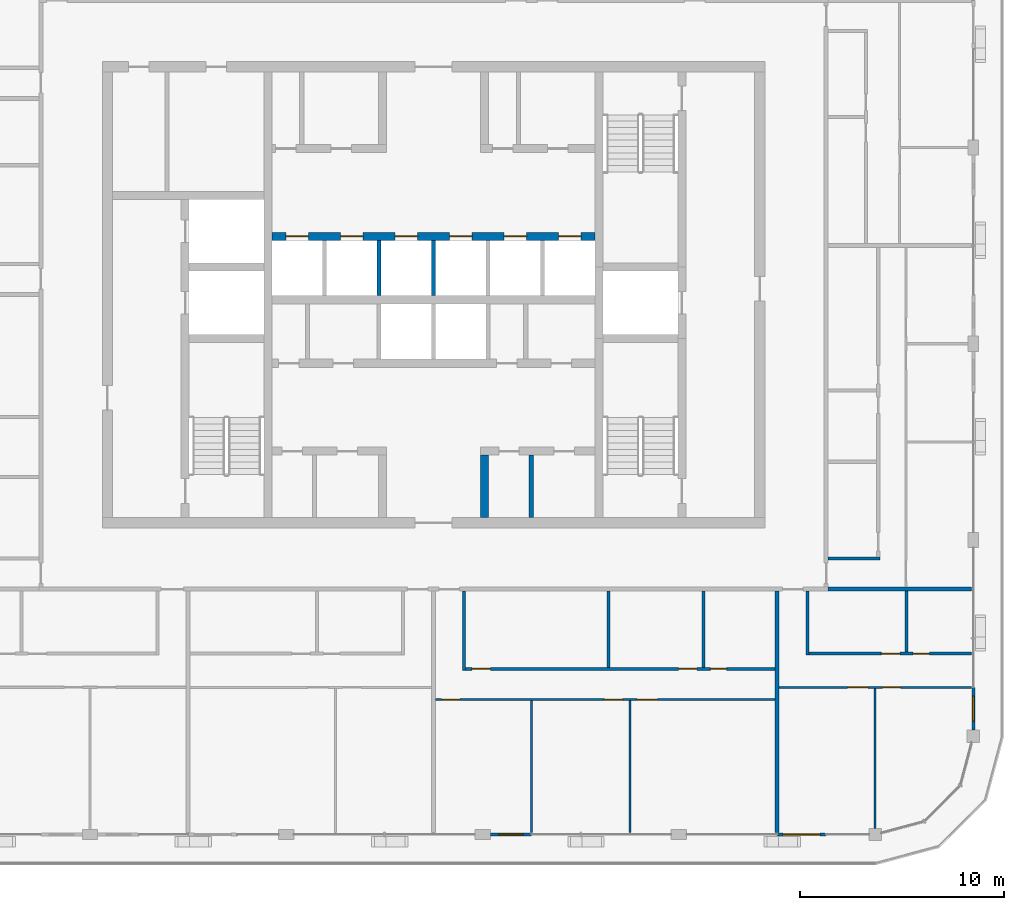
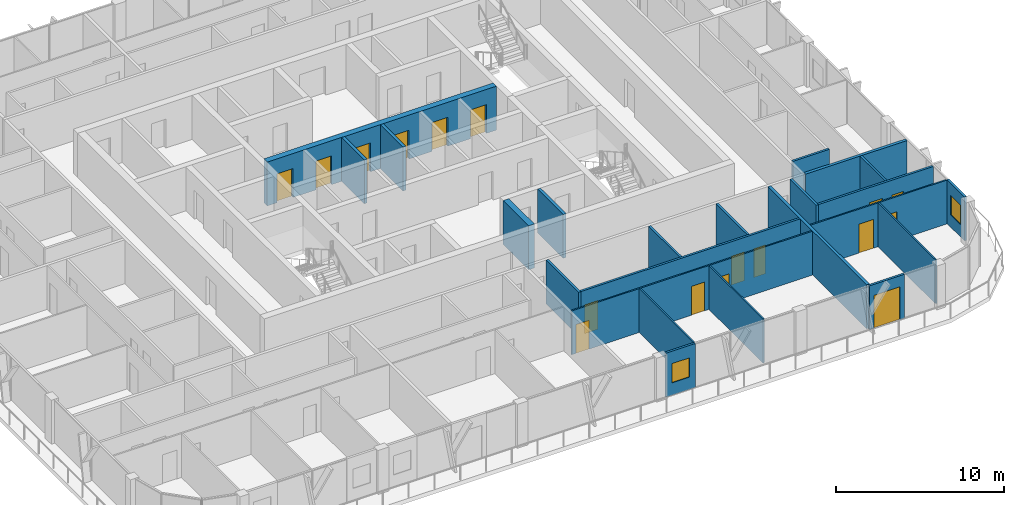
# One storey, part 11 of 21: 23 walls, 17 doors, 2 windows, 19 openings.
"""IFC4 building model written with IfcOpenShell, lengths in metres."""

from ifc_helpers import new_model, si_unit, direction, frame, frame_2d, origin, place, context, subcontext, project, spatial, rectangle, extrude, material, layer, layer_set, type_object, element, fill, save


model = new_model("IFC4")

# Units and contexts
model_context = context("Model", 3, precision=1e-05, world=origin(), true_north=direction((0.0, 1.0)))
body_context = subcontext(model_context, "Body", "Model", "MODEL_VIEW")
ifc_project = project(units=[si_unit("LENGTHUNIT", "METRE"), si_unit("AREAUNIT", "SQUARE_METRE"), si_unit("VOLUMEUNIT", "CUBIC_METRE"), si_unit("PLANEANGLEUNIT", "RADIAN"), si_unit("MASSUNIT", "GRAM", prefix="KILO")], contexts=[model_context])

# Site, building, storey
site_placement = place(None, origin())
site = spatial("IfcSite", under=ifc_project, at=site_placement, CompositionType="ELEMENT")
building_placement = place(site_placement, origin())
building = spatial("IfcBuilding", under=site, at=building_placement, Name="Madar Terraces", CompositionType="ELEMENT")
storey_placement = place(building_placement, frame((0.0, 0.0, 268.60009765625)))
storey = spatial("IfcBuildingStorey", under=building, at=storey_placement, Name="L70", CompositionType="ELEMENT", Elevation=268.60009765625)

# Wall, openings, doors
ifc_material_1 = material(Name="Concrete C50/60", Category="concrete")
ifc_layer_1 = layer(ifc_material_1, 0.39990234375)
ifc_layer_set_1 = layer_set([ifc_layer_1], Name="Concrete C50/60 (CIW6 RC wall 400)")
wall_type_1 = type_object("IfcWallType", Name="CIW6 RC wall 400", PredefinedType="SHEAR", material=ifc_layer_set_1)
wall_1_placement = place(storey_placement, frame((23.300048828125, 29.25, 0.0), z_axis=(0.0, 0.0, 1.0), x_axis=(1.0, 0.0, 0.0)))
wall_1 = element("IfcWall", 1, at=wall_1_placement, inside=storey, type_object=wall_type_1, Name="CORE SHAFT WALL", PredefinedType="SHEAR", context=body_context, shape_type="SweptSolid", body=[
    extrude(rectangle(XDim=15.800048828125, YDim=0.39990234375, at=frame_2d((7.89990234375, 0.0))), origin(), (0.0, 0.0, 1.0), 3.199951171875),
])
opening_1_placement = place(wall_1_placement, frame((0.683349609375, 0.0, 0.0)))
opening_1 = element("IfcOpeningElement", 2, at=opening_1_placement, cuts=wall_1, Name="Opening LD", PredefinedType="OPENING", context=body_context, shape_type="SweptSolid", body=[
    extrude(rectangle(XDim=1.10009765625, YDim=2.10009765625, at=frame_2d((0.550048828125, 1.050048828125))), frame((0.0, 0.2099609375, 0.0), z_axis=(0.0, -1.0, 0.0), x_axis=(1.0, 0.0, 0.0)), (0.0, 0.0, 1.0), 0.419921875),
])
opening_2_placement = place(wall_1_placement, frame((3.35009765625, 0.0, 0.0)))
opening_2 = element("IfcOpeningElement", 3, at=opening_2_placement, cuts=wall_1, Name="Opening LD", PredefinedType="OPENING", context=body_context, shape_type="SweptSolid", body=[
    extrude(rectangle(XDim=1.10009765625, YDim=2.10009765625, at=frame_2d((0.550048828125, 1.050048828125))), frame((0.0, 0.2099609375, 0.0), z_axis=(0.0, -1.0, 0.0), x_axis=(1.0, 0.0, 0.0)), (0.0, 0.0, 1.0), 0.419921875),
])
opening_3_placement = place(wall_1_placement, frame((6.0166015625, 0.0, 0.0)))
opening_3 = element("IfcOpeningElement", 4, at=opening_3_placement, cuts=wall_1, Name="Opening LD", PredefinedType="OPENING", context=body_context, shape_type="SweptSolid", body=[
    extrude(rectangle(XDim=1.10009765625, YDim=2.10009765625, at=frame_2d((0.550048828125, 1.050048828125))), frame((0.0, 0.2099609375, 0.0), z_axis=(0.0, -1.0, 0.0), x_axis=(1.0, 0.0, 0.0)), (0.0, 0.0, 1.0), 0.419921875),
])
opening_4_placement = place(wall_1_placement, frame((8.683349609375, 0.0, 0.0)))
opening_4 = element("IfcOpeningElement", 5, at=opening_4_placement, cuts=wall_1, Name="Opening LD", PredefinedType="OPENING", context=body_context, shape_type="SweptSolid", body=[
    extrude(rectangle(XDim=1.10009765625, YDim=2.10009765625, at=frame_2d((0.550048828125, 1.050048828125))), frame((0.0, 0.2099609375, 0.0), z_axis=(0.0, -1.0, 0.0), x_axis=(1.0, 0.0, 0.0)), (0.0, 0.0, 1.0), 0.419921875),
])
opening_5_placement = place(wall_1_placement, frame((11.35009765625, 0.0, 0.0)))
opening_5 = element("IfcOpeningElement", 6, at=opening_5_placement, cuts=wall_1, Name="Opening LD", PredefinedType="OPENING", context=body_context, shape_type="SweptSolid", body=[
    extrude(rectangle(XDim=1.10009765625, YDim=2.10009765625, at=frame_2d((0.550048828125, 1.050048828125))), frame((0.0, 0.2099609375, 0.0), z_axis=(0.0, -1.0, 0.0), x_axis=(1.0, 0.0, 0.0)), (0.0, 0.0, 1.0), 0.419921875),
])
opening_6_placement = place(wall_1_placement, frame((14.0166015625, 0.0, 0.0)))
opening_6 = element("IfcOpeningElement", 7, at=opening_6_placement, cuts=wall_1, Name="Opening LD", PredefinedType="OPENING", context=body_context, shape_type="SweptSolid", body=[
    extrude(rectangle(XDim=1.10009765625, YDim=2.10009765625, at=frame_2d((0.550048828125, 1.050048828125))), frame((0.0, 0.2099609375, 0.0), z_axis=(0.0, -1.0, 0.0), x_axis=(1.0, 0.0, 0.0)), (0.0, 0.0, 1.0), 0.419921875),
])
ifc_material_2 = material(Name="Stainless steel panel", Category="steel")
door_type_1 = type_object("IfcDoorType", Name="Lift landing door 1100 x 2100", OperationType="DOUBLE_DOOR_SLIDING", PredefinedType="DOOR", material=ifc_material_2)
door_1_placement = place(opening_1_placement, origin())
door_1 = element("IfcDoor", 8, at=door_1_placement, inside=storey, type_object=door_type_1, Name="LIFT LANDING DOOR", OperationType="DOUBLE_DOOR_SLIDING", OverallHeight=2.10009765625, OverallWidth=1.10009765625, PredefinedType="DOOR", context=body_context, shape_type="SweptSolid", body=[
    extrude(rectangle(XDim=1.10009765625, YDim=2.10009765625, at=frame_2d((0.550048828125, 1.050048828125))), frame((0.0, 0.02490234375, 0.0), z_axis=(0.0, -1.0, 0.0), x_axis=(1.0, 0.0, 0.0)), (0.0, 0.0, 1.0), 0.050048828125),
])
fill(opening_1, door_1)
door_2_placement = place(opening_2_placement, origin())
door_2 = element("IfcDoor", 9, at=door_2_placement, inside=storey, type_object=door_type_1, Name="LIFT LANDING DOOR", OperationType="DOUBLE_DOOR_SLIDING", OverallHeight=2.10009765625, OverallWidth=1.10009765625, PredefinedType="DOOR", context=body_context, shape_type="SweptSolid", body=[
    extrude(rectangle(XDim=1.10009765625, YDim=2.10009765625, at=frame_2d((0.550048828125, 1.050048828125))), frame((0.0, 0.02490234375, 0.0), z_axis=(0.0, -1.0, 0.0), x_axis=(1.0, 0.0, 0.0)), (0.0, 0.0, 1.0), 0.050048828125),
])
fill(opening_2, door_2)
door_3_placement = place(opening_3_placement, origin())
door_3 = element("IfcDoor", 10, at=door_3_placement, inside=storey, type_object=door_type_1, Name="LIFT LANDING DOOR", OperationType="DOUBLE_DOOR_SLIDING", OverallHeight=2.10009765625, OverallWidth=1.10009765625, PredefinedType="DOOR", context=body_context, shape_type="SweptSolid", body=[
    extrude(rectangle(XDim=1.10009765625, YDim=2.10009765625, at=frame_2d((0.550048828125, 1.050048828125))), frame((0.0, 0.02490234375, 0.0), z_axis=(0.0, -1.0, 0.0), x_axis=(1.0, 0.0, 0.0)), (0.0, 0.0, 1.0), 0.050048828125),
])
fill(opening_3, door_3)
door_4_placement = place(opening_4_placement, origin())
door_4 = element("IfcDoor", 11, at=door_4_placement, inside=storey, type_object=door_type_1, Name="LIFT LANDING DOOR", OperationType="DOUBLE_DOOR_SLIDING", OverallHeight=2.10009765625, OverallWidth=1.10009765625, PredefinedType="DOOR", context=body_context, shape_type="SweptSolid", body=[
    extrude(rectangle(XDim=1.10009765625, YDim=2.10009765625, at=frame_2d((0.550048828125, 1.050048828125))), frame((0.0, 0.02490234375, 0.0), z_axis=(0.0, -1.0, 0.0), x_axis=(1.0, 0.0, 0.0)), (0.0, 0.0, 1.0), 0.050048828125),
])
fill(opening_4, door_4)
door_5_placement = place(opening_5_placement, origin())
door_5 = element("IfcDoor", 12, at=door_5_placement, inside=storey, type_object=door_type_1, Name="LIFT LANDING DOOR", OperationType="DOUBLE_DOOR_SLIDING", OverallHeight=2.10009765625, OverallWidth=1.10009765625, PredefinedType="DOOR", context=body_context, shape_type="SweptSolid", body=[
    extrude(rectangle(XDim=1.10009765625, YDim=2.10009765625, at=frame_2d((0.550048828125, 1.050048828125))), frame((0.0, 0.02490234375, 0.0), z_axis=(0.0, -1.0, 0.0), x_axis=(1.0, 0.0, 0.0)), (0.0, 0.0, 1.0), 0.050048828125),
])
fill(opening_5, door_5)
door_6_placement = place(opening_6_placement, origin())
door_6 = element("IfcDoor", 13, at=door_6_placement, inside=storey, type_object=door_type_1, Name="LIFT LANDING DOOR", OperationType="DOUBLE_DOOR_SLIDING", OverallHeight=2.10009765625, OverallWidth=1.10009765625, PredefinedType="DOOR", context=body_context, shape_type="SweptSolid", body=[
    extrude(rectangle(XDim=1.10009765625, YDim=2.10009765625, at=frame_2d((0.550048828125, 1.050048828125))), frame((0.0, 0.02490234375, 0.0), z_axis=(0.0, -1.0, 0.0), x_axis=(1.0, 0.0, 0.0)), (0.0, 0.0, 1.0), 0.050048828125),
])
fill(opening_6, door_6)

# Walls
wall_2_placement = place(storey_placement, frame((33.699951171875, 15.5, 0.0), z_axis=(0.0, 0.0, 1.0), x_axis=(0.0, 1.0, 0.0)))
element("IfcWall", 14, at=wall_2_placement, inside=storey, type_object=wall_type_1, Name="CORE SHAFT WALL", PredefinedType="SHEAR", context=body_context, shape_type="SweptSolid", body=[
    extrude(rectangle(XDim=3.050048828125, YDim=0.39990234375, at=frame_2d((1.52490234375, 0.0))), origin(), (0.0, 0.0, 1.0), 3.199951171875),
])
ifc_material_3 = material(Name="Masonry blockwork", Category="masonry")
ifc_layer_2 = layer(ifc_material_3, 0.199951171875)
ifc_layer_set_2 = layer_set([ifc_layer_2], Name="Core partition 200 blockwork")
wall_type_2 = type_object("IfcWallType", Name="Core partition 200 blockwork", PredefinedType="PARTITIONING", material=ifc_layer_set_2)
wall_3_placement = place(storey_placement, frame((35.97998046875, 15.5, 0.0), z_axis=(0.0, 0.0, 1.0), x_axis=(0.0, 1.0, 0.0)))
element("IfcWall", 15, at=wall_3_placement, inside=storey, type_object=wall_type_2, Name="SERVICE ROOM PARTITION", PredefinedType="PARTITIONING", context=body_context, shape_type="SweptSolid", body=[
    extrude(rectangle(XDim=3.050048828125, YDim=0.199951171875, at=frame_2d((1.52490234375, 0.0))), origin(), (0.0, 0.0, 1.0), 3.199951171875),
])
ifc_material_4 = material(Name="Concrete C40/50", Category="concrete")
ifc_layer_3 = layer(ifc_material_4, 0.199951171875)
ifc_layer_set_3 = layer_set([ifc_layer_3], Name="Core shaft dividing wall 200 C40/50")
wall_type_3 = type_object("IfcWallType", Name="Core shaft dividing wall 200 C40/50", PredefinedType="SOLIDWALL", material=ifc_layer_set_3)
for number, where, z_axis, x_axis, name in (
    (16, (28.533447265625, 26.35009765625, 0.0), (0.0, 0.0, 1.0), (0.0, 1.0, 0.0), "SHAFT DIVIDING WALL"),
    (17, (31.199951171875, 26.35009765625, 0.0), (0.0, 0.0, 1.0), (0.0, 1.0, 0.0), "SHAFT DIVIDING WALL"),
):
    element("IfcWall", number, at=place(storey_placement, frame(where, z_axis=z_axis, x_axis=x_axis)), inside=storey, type_object=wall_type_3, Name=name, PredefinedType="SOLIDWALL", context=body_context, shape_type="SweptSolid", body=[
        extrude(rectangle(XDim=2.699951171875, YDim=0.199951171875, at=frame_2d((1.35009765625, 0.0))), origin(), (0.0, 0.0, 1.0), 3.199951171875),
    ])

# Wall, opening, window
ifc_material_5 = material(Name="Aluminium composite panel, black, over insulated backing", Category="aluminium")
ifc_layer_4 = layer(ifc_material_5, 0.14990234375)
ifc_layer_set_4 = layer_set([ifc_layer_4], Name="Facade bay panel 150")
wall_type_4 = type_object("IfcWallType", Name="Facade bay panel 150", PredefinedType="SOLIDWALL", material=ifc_layer_set_4)
wall_4_placement = place(storey_placement, frame((33.97509765625, 0.0, 0.0), z_axis=(0.0, 0.0, 1.0), x_axis=(1.0, 0.0, 0.0)))
wall_4 = element("IfcWall", 18, at=wall_4_placement, inside=storey, type_object=wall_type_4, Name="Facade bay panel", PredefinedType="SOLIDWALL", context=body_context, shape_type="SweptSolid", body=[
    extrude(rectangle(XDim=2.02490234375, YDim=0.14990234375, at=frame_2d((1.012451171875, 0.0))), origin(), (0.0, 0.0, 1.0), 3.199951171875),
])
opening_7_placement = place(wall_4_placement, frame((0.41259765625, 0.0, 0.89990234375)))
opening_7 = element("IfcOpeningElement", 19, at=opening_7_placement, cuts=wall_4, Name="Opening W1", PredefinedType="OPENING", context=body_context, shape_type="SweptSolid", body=[
    extrude(rectangle(XDim=1.199951171875, YDim=1.39990234375, at=frame_2d((0.60009765625, 0.699951171875))), frame((0.0, 0.0849609375, 0.0), z_axis=(0.0, -1.0, 0.0), x_axis=(1.0, 0.0, 0.0)), (0.0, 0.0, 1.0), 0.169921875),
])
ifc_material_6 = material(Name="Glass, clear, with black aluminium frame", Category="aluminium")
window_type = type_object("IfcWindowType", Name="Vent window 1200 x 1400", PartitioningType="SINGLE_PANEL", PredefinedType="WINDOW", material=ifc_material_6)
window_1_placement = place(opening_7_placement, origin())
window_1 = element("IfcWindow", 20, at=window_1_placement, inside=storey, type_object=window_type, Name="Operable vent window", OverallHeight=1.39990234375, OverallWidth=1.199951171875, PartitioningType="SINGLE_PANEL", PredefinedType="WINDOW", context=body_context, shape_type="SweptSolid", body=[
    extrude(rectangle(XDim=1.199951171875, YDim=1.39990234375, at=frame_2d((0.60009765625, 0.699951171875))), frame((0.0, 0.030029296875, 0.0), z_axis=(0.0, -1.0, 0.0), x_axis=(1.0, 0.0, 0.0)), (0.0, 0.0, 1.0), 0.06005859375),
])
fill(opening_7, window_1)

# Wall, opening, door
wall_5_placement = place(storey_placement, frame((48.0, 0.0, 0.0), z_axis=(0.0, 0.0, 1.0), x_axis=(1.0, 0.0, 0.0)))
wall_5 = element("IfcWall", 21, at=wall_5_placement, inside=storey, type_object=wall_type_4, Name="Facade bay panel", PredefinedType="SOLIDWALL", context=body_context, shape_type="SweptSolid", body=[
    extrude(rectangle(XDim=2.39990234375, YDim=0.14990234375, at=frame_2d((1.199951171875, 0.0))), origin(), (0.0, 0.0, 1.0), 3.199951171875),
])
opening_8_placement = place(wall_5_placement, frame((0.300048828125, 0.0, 0.0)))
opening_8 = element("IfcOpeningElement", 22, at=opening_8_placement, cuts=wall_5, Name="Opening ED1", PredefinedType="OPENING", context=body_context, shape_type="SweptSolid", body=[
    extrude(rectangle(XDim=1.800048828125, YDim=2.39990234375, at=frame_2d((0.89990234375, 1.199951171875))), frame((0.0, 0.0849609375, 0.0), z_axis=(0.0, -1.0, 0.0), x_axis=(1.0, 0.0, 0.0)), (0.0, 0.0, 1.0), 0.169921875),
])
ifc_material_7 = material(Name="Glass, clear, with black aluminium frame", Category="aluminium")
door_type_2 = type_object("IfcDoorType", Name="Balcony and terrace sliding door 1800 x 2400", OperationType="SLIDING_TO_LEFT", PredefinedType="DOOR", material=ifc_material_7)
door_7_placement = place(opening_8_placement, origin())
door_7 = element("IfcDoor", 23, at=door_7_placement, inside=storey, type_object=door_type_2, Name="Balcony door", OperationType="SLIDING_TO_RIGHT", OverallHeight=2.39990234375, OverallWidth=1.800048828125, PredefinedType="DOOR", context=body_context, shape_type="SweptSolid", body=[
    extrude(rectangle(XDim=1.800048828125, YDim=2.39990234375, at=frame_2d((0.89990234375, 1.199951171875))), frame((0.0, 0.02490234375, 0.0), z_axis=(0.0, -1.0, 0.0), x_axis=(1.0, 0.0, 0.0)), (0.0, 0.0, 1.0), 0.050048828125),
])
fill(opening_8, door_7)

# Wall, opening, window
wall_6_placement = place(storey_placement, frame((57.60009765625, 5.10009765625, 0.0), z_axis=(0.0, 0.0, 1.0), x_axis=(0.0, 1.0, 0.0)))
wall_6 = element("IfcWall", 24, at=wall_6_placement, inside=storey, type_object=wall_type_4, Name="Facade bay panel", PredefinedType="SOLIDWALL", context=body_context, shape_type="SweptSolid", body=[
    extrude(rectangle(XDim=2.099853515625, YDim=0.14990234375, at=frame_2d((1.0498046875, 0.0))), origin(), (0.0, 0.0, 1.0), 3.199951171875),
])
opening_9_placement = place(wall_6_placement, frame((0.449951171875, 0.0, 0.89990234375)))
opening_9 = element("IfcOpeningElement", 25, at=opening_9_placement, cuts=wall_6, Name="Opening W1", PredefinedType="OPENING", context=body_context, shape_type="SweptSolid", body=[
    extrude(rectangle(XDim=1.199951171875, YDim=1.39990234375, at=frame_2d((0.60009765625, 0.699951171875))), frame((0.0, 0.0849609375, 0.0), z_axis=(0.0, -1.0, 0.0), x_axis=(1.0, 0.0, 0.0)), (0.0, 0.0, 1.0), 0.169921875),
])
window_2_placement = place(opening_9_placement, origin())
window_2 = element("IfcWindow", 26, at=window_2_placement, inside=storey, type_object=window_type, Name="Operable vent window", OverallHeight=1.39990234375, OverallWidth=1.199951171875, PartitioningType="SINGLE_PANEL", PredefinedType="WINDOW", context=body_context, shape_type="SweptSolid", body=[
    extrude(rectangle(XDim=1.199951171875, YDim=1.39990234375, at=frame_2d((0.60009765625, 0.699951171875))), frame((0.0, 0.030029296875, 0.0), z_axis=(0.0, -1.0, 0.0), x_axis=(1.0, 0.0, 0.0)), (0.0, 0.0, 1.0), 0.06005859375),
])
fill(opening_9, window_2)

# Walls
ifc_material_8 = material(Name="Gypsum board on steel studs", Category="steel")
ifc_layer_5 = layer(ifc_material_8, 0.10009765625)
ifc_layer_set_5 = layer_set([ifc_layer_5], Name="Flat partition 100")
wall_type_5 = type_object("IfcWallType", Name="Flat partition 100", PredefinedType="PARTITIONING", material=ifc_layer_set_5)
for number, where, z_axis, x_axis, name in (
    (27, (36.0, 6.550048828125, 0.0), (0.0, 0.0, 1.0), (0.0, -1.0, 0.0), "Flat partition 100"),
    (28, (40.800048828125, 6.550048828125, 0.0), (0.0, 0.0, 1.0), (0.0, -1.0, 0.0), "Flat partition 100"),
):
    element("IfcWall", number, at=place(storey_placement, frame(where, z_axis=z_axis, x_axis=x_axis)), inside=storey, type_object=wall_type_5, Name=name, PredefinedType="PARTITIONING", context=body_context, shape_type="SweptSolid", body=[
        extrude(rectangle(XDim=6.449951171875, YDim=0.10009765625, at=frame_2d((3.22509765625, 0.0))), origin(), (0.0, 0.0, 1.0), 3.199951171875),
    ])

# Wall, openings, doors
wall_7_placement = place(storey_placement, frame((47.89990234375, 6.60009765625, 0.0), z_axis=(0.0, 0.0, 1.0), x_axis=(-1.0, 0.0, 0.0)))
wall_7 = element("IfcWall", 29, at=wall_7_placement, inside=storey, type_object=wall_type_5, Name="Flat partition 100", PredefinedType="PARTITIONING", context=body_context, shape_type="SweptSolid", body=[
    extrude(rectangle(XDim=16.599853515625, YDim=0.10009765625, at=frame_2d((8.2998046875, 0.0))), origin(), (0.0, 0.0, 1.0), 3.199951171875),
])
opening_10_placement = place(wall_7_placement, frame((15.39990234375, 0.0, 0.0)))
opening_10 = element("IfcOpeningElement", 30, at=opening_10_placement, cuts=wall_7, Name="Opening D2", PredefinedType="OPENING", context=body_context, shape_type="SweptSolid", body=[
    extrude(rectangle(XDim=0.89990234375, YDim=2.10009765625, at=frame_2d((0.449951171875, 1.050048828125))), frame((0.0, 0.06005859375, 0.0), z_axis=(0.0, -1.0, 0.0), x_axis=(1.0, 0.0, 0.0)), (0.0, 0.0, 1.0), 0.1201171875),
])
opening_11_placement = place(wall_7_placement, frame((7.449951171875, 0.0, 0.0)))
opening_11 = element("IfcOpeningElement", 31, at=opening_11_placement, cuts=wall_7, Name="Opening D2", PredefinedType="OPENING", context=body_context, shape_type="SweptSolid", body=[
    extrude(rectangle(XDim=0.89990234375, YDim=2.10009765625, at=frame_2d((0.449951171875, 1.050048828125))), frame((0.0, 0.06005859375, 0.0), z_axis=(0.0, -1.0, 0.0), x_axis=(1.0, 0.0, 0.0)), (0.0, 0.0, 1.0), 0.1201171875),
])
opening_12_placement = place(wall_7_placement, frame((5.75, 0.0, 0.0)))
opening_12 = element("IfcOpeningElement", 32, at=opening_12_placement, cuts=wall_7, Name="Opening D3", PredefinedType="OPENING", context=body_context, shape_type="SweptSolid", body=[
    extrude(rectangle(XDim=1.0, YDim=2.10009765625, at=frame_2d((0.5, 1.050048828125))), frame((0.0, 0.06005859375, 0.0), z_axis=(0.0, -1.0, 0.0), x_axis=(1.0, 0.0, 0.0)), (0.0, 0.0, 1.0), 0.1201171875),
])
ifc_material_9 = material(Name="Timber door leaf", Category="wood")
door_type_3 = type_object("IfcDoorType", Name="Flat living room door 1000", OperationType="NOTDEFINED", PredefinedType="DOOR", material=ifc_material_9)
door_8_placement = place(opening_12_placement, origin())
door_8 = element("IfcDoor", 33, at=door_8_placement, inside=storey, type_object=door_type_3, Name="Flat living room door 1000", OperationType="SINGLE_SWING_RIGHT", OverallHeight=2.10009765625, OverallWidth=1.0, PredefinedType="DOOR", context=body_context, shape_type="SweptSolid", body=[
    extrude(rectangle(XDim=1.0, YDim=2.10009765625, at=frame_2d((0.5, 1.050048828125))), frame((0.0, 0.02490234375, 0.0), z_axis=(0.0, -1.0, 0.0), x_axis=(1.0, 0.0, 0.0)), (0.0, 0.0, 1.0), 0.050048828125),
])
fill(opening_12, door_8)
ifc_material_10 = material(Name="Timber door leaf", Category="wood")
door_type_4 = type_object("IfcDoorType", Name="Flat room door 900", OperationType="NOTDEFINED", PredefinedType="DOOR", material=ifc_material_10)
door_9_placement = place(opening_10_placement, origin())
door_9 = element("IfcDoor", 34, at=door_9_placement, inside=storey, type_object=door_type_4, Name="Flat room door 900", OperationType="SINGLE_SWING_RIGHT", OverallHeight=2.10009765625, OverallWidth=0.89990234375, PredefinedType="DOOR", context=body_context, shape_type="SweptSolid", body=[
    extrude(rectangle(XDim=0.89990234375, YDim=2.10009765625, at=frame_2d((0.449951171875, 1.050048828125))), frame((0.0, 0.02490234375, 0.0), z_axis=(0.0, -1.0, 0.0), x_axis=(1.0, 0.0, 0.0)), (0.0, 0.0, 1.0), 0.050048828125),
])
fill(opening_10, door_9)
door_10_placement = place(opening_11_placement, origin())
door_10 = element("IfcDoor", 35, at=door_10_placement, inside=storey, type_object=door_type_4, Name="Flat room door 900", OperationType="SINGLE_SWING_LEFT", OverallHeight=2.10009765625, OverallWidth=0.89990234375, PredefinedType="DOOR", context=body_context, shape_type="SweptSolid", body=[
    extrude(rectangle(XDim=0.89990234375, YDim=2.10009765625, at=frame_2d((0.449951171875, 1.050048828125))), frame((0.0, 0.02490234375, 0.0), z_axis=(0.0, -1.0, 0.0), x_axis=(1.0, 0.0, 0.0)), (0.0, 0.0, 1.0), 0.050048828125),
])
fill(opening_11, door_10)

# Wall
wall_8_placement = place(storey_placement, frame((52.800048828125, 7.14990234375, 0.0), z_axis=(0.0, 0.0, 1.0), x_axis=(0.0, -1.0, 0.0)))
element("IfcWall", 36, at=wall_8_placement, inside=storey, type_object=wall_type_5, Name="Flat partition 100", PredefinedType="PARTITIONING", context=body_context, shape_type="SweptSolid", body=[
    extrude(rectangle(XDim=6.849853515625, YDim=0.10009765625, at=frame_2d((3.4248046875, 0.0))), origin(), (0.0, 0.0, 1.0), 3.199951171875),
])

# Wall, openings, doors
wall_9_placement = place(storey_placement, frame((57.5, 7.199951171875, 0.0), z_axis=(0.0, 0.0, 1.0), x_axis=(-1.0, 0.0, 0.0)))
wall_9 = element("IfcWall", 37, at=wall_9_placement, inside=storey, type_object=wall_type_5, Name="Flat partition 100", PredefinedType="PARTITIONING", context=body_context, shape_type="SweptSolid", body=[
    extrude(rectangle(XDim=9.39990234375, YDim=0.10009765625, at=frame_2d((4.699951171875, 0.0))), origin(), (0.0, 0.0, 1.0), 3.199951171875),
])
opening_13_placement = place(wall_9_placement, frame((5.050048828125, 0.0, 0.0)))
opening_13 = element("IfcOpeningElement", 38, at=opening_13_placement, cuts=wall_9, Name="Opening D3", PredefinedType="OPENING", context=body_context, shape_type="SweptSolid", body=[
    extrude(rectangle(XDim=1.0, YDim=2.10009765625, at=frame_2d((0.5, 1.050048828125))), frame((0.0, 0.06005859375, 0.0), z_axis=(0.0, -1.0, 0.0), x_axis=(1.0, 0.0, 0.0)), (0.0, 0.0, 1.0), 0.1201171875),
])
opening_14_placement = place(wall_9_placement, frame((3.449951171875, 0.0, 0.0)))
opening_14 = element("IfcOpeningElement", 39, at=opening_14_placement, cuts=wall_9, Name="Opening D2", PredefinedType="OPENING", context=body_context, shape_type="SweptSolid", body=[
    extrude(rectangle(XDim=0.89990234375, YDim=2.10009765625, at=frame_2d((0.449951171875, 1.050048828125))), frame((0.0, 0.06005859375, 0.0), z_axis=(0.0, -1.0, 0.0), x_axis=(1.0, 0.0, 0.0)), (0.0, 0.0, 1.0), 0.1201171875),
])
door_11_placement = place(opening_13_placement, origin())
door_11 = element("IfcDoor", 40, at=door_11_placement, inside=storey, type_object=door_type_3, Name="Flat living room door 1000", OperationType="SINGLE_SWING_LEFT", OverallHeight=2.10009765625, OverallWidth=1.0, PredefinedType="DOOR", context=body_context, shape_type="SweptSolid", body=[
    extrude(rectangle(XDim=1.0, YDim=2.10009765625, at=frame_2d((0.5, 1.050048828125))), frame((0.0, 0.02490234375, 0.0), z_axis=(0.0, -1.0, 0.0), x_axis=(1.0, 0.0, 0.0)), (0.0, 0.0, 1.0), 0.050048828125),
])
fill(opening_13, door_11)
door_12_placement = place(opening_14_placement, origin())
door_12 = element("IfcDoor", 41, at=door_12_placement, inside=storey, type_object=door_type_4, Name="Flat room door 900", OperationType="SINGLE_SWING_RIGHT", OverallHeight=2.10009765625, OverallWidth=0.89990234375, PredefinedType="DOOR", context=body_context, shape_type="SweptSolid", body=[
    extrude(rectangle(XDim=0.89990234375, YDim=2.10009765625, at=frame_2d((0.449951171875, 1.050048828125))), frame((0.0, 0.02490234375, 0.0), z_axis=(0.0, -1.0, 0.0), x_axis=(1.0, 0.0, 0.0)), (0.0, 0.0, 1.0), 0.050048828125),
])
fill(opening_14, door_12)

# Walls
ifc_material_11 = material(Name="Lightweight blockwork", Category="masonry")
ifc_layer_6 = layer(ifc_material_11, 0.199951171875)
ifc_layer_set_6 = layer_set([ifc_layer_6], Name="Flat party and entrance wall 200")
wall_type_6 = type_object("IfcWallType", Name="Flat party and entrance wall 200", PredefinedType="PARTITIONING", material=ifc_layer_set_6)
wall_10_placement = place(storey_placement, frame((48.0, 11.89990234375, 0.0), z_axis=(0.0, 0.0, 1.0), x_axis=(0.0, -1.0, 0.0)))
element("IfcWall", 42, at=wall_10_placement, inside=storey, type_object=wall_type_6, Name="Flat party and entrance wall 200", PredefinedType="PARTITIONING", context=body_context, shape_type="SweptSolid", body=[
    extrude(rectangle(XDim=11.7998046875, YDim=0.199951171875, at=frame_2d((5.89990234375, 0.0))), origin(), (0.0, 0.0, 1.0), 3.199951171875),
])
wall_11_placement = place(storey_placement, frame((50.5, 12.0, 0.0), z_axis=(0.0, 0.0, 1.0), x_axis=(1.0, 0.0, 0.0)))
element("IfcWall", 43, at=wall_11_placement, inside=storey, type_object=wall_type_6, Name="Flat party and entrance wall 200", PredefinedType="PARTITIONING", context=body_context, shape_type="SweptSolid", body=[
    extrude(rectangle(XDim=7.0, YDim=0.199951171875, at=frame_2d((3.5, 0.0))), origin(), (0.0, 0.0, 1.0), 3.199951171875),
])
ifc_material_12 = material(Name="Lightweight blockwork", Category="masonry")
ifc_layer_7 = layer(ifc_material_12, 0.14990234375)
ifc_layer_set_7 = layer_set([ifc_layer_7], Name="Flat wet-room partition 150")
wall_type_7 = type_object("IfcWallType", Name="Flat wet-room partition 150", PredefinedType="PARTITIONING", material=ifc_layer_set_7)
for number, where, z_axis, x_axis, name in (
    (44, (39.755859375, 11.89990234375, 0.0), (0.0, 0.0, 1.0), (0.0, -1.0, 0.0), "Flat wet-room partition 150"),
    (45, (44.40966796875, 11.89990234375, 0.0), (0.0, 0.0, 1.0), (0.0, -1.0, 0.0), "Flat wet-room partition 150"),
):
    element("IfcWall", number, at=place(storey_placement, frame(where, z_axis=z_axis, x_axis=x_axis)), inside=storey, type_object=wall_type_7, Name=name, PredefinedType="PARTITIONING", context=body_context, shape_type="SweptSolid", body=[
        extrude(rectangle(XDim=3.724853515625, YDim=0.14990234375, at=frame_2d((1.8623046875, 0.0))), origin(), (0.0, 0.0, 1.0), 3.199951171875),
    ])
wall_12_placement = place(storey_placement, frame((32.699951171875, 11.89990234375, 0.0), z_axis=(0.0, 0.0, 1.0), x_axis=(0.0, -1.0, 0.0)))
element("IfcWall", 46, at=wall_12_placement, inside=storey, type_object=wall_type_7, Name="Flat wet-room partition 150", PredefinedType="PARTITIONING", context=body_context, shape_type="SweptSolid", body=[
    extrude(rectangle(XDim=3.875, YDim=0.14990234375, at=frame_2d((1.9375, 0.0))), origin(), (0.0, 0.0, 1.0), 3.199951171875),
])

# Wall, openings, doors
wall_13_placement = place(storey_placement, frame((32.77490234375, 8.10009765625, 0.0), z_axis=(0.0, 0.0, 1.0), x_axis=(1.0, 0.0, 0.0)))
wall_13 = element("IfcWall", 47, at=wall_13_placement, inside=storey, type_object=wall_type_7, Name="Flat wet-room partition 150", PredefinedType="PARTITIONING", context=body_context, shape_type="SweptSolid", body=[
    extrude(rectangle(XDim=15.125, YDim=0.14990234375, at=frame_2d((7.5625, 0.0))), origin(), (0.0, 0.0, 1.0), 3.199951171875),
])
opening_15_placement = place(wall_13_placement, frame((0.300048828125, 0.0, 0.0)))
opening_15 = element("IfcOpeningElement", 48, at=opening_15_placement, cuts=wall_13, Name="Opening D2", PredefinedType="OPENING", context=body_context, shape_type="SweptSolid", body=[
    extrude(rectangle(XDim=0.89990234375, YDim=2.10009765625, at=frame_2d((0.449951171875, 1.050048828125))), frame((0.0, 0.0849609375, 0.0), z_axis=(0.0, -1.0, 0.0), x_axis=(1.0, 0.0, 0.0)), (0.0, 0.0, 1.0), 0.169921875),
])
opening_16_placement = place(wall_13_placement, frame((10.40966796875, 0.0, 0.0)))
opening_16 = element("IfcOpeningElement", 49, at=opening_16_placement, cuts=wall_13, Name="Opening D5", PredefinedType="OPENING", context=body_context, shape_type="SweptSolid", body=[
    extrude(rectangle(XDim=0.89990234375, YDim=2.10009765625, at=frame_2d((0.449951171875, 1.050048828125))), frame((0.0, 0.0849609375, 0.0), z_axis=(0.0, -1.0, 0.0), x_axis=(1.0, 0.0, 0.0)), (0.0, 0.0, 1.0), 0.169921875),
])
opening_17_placement = place(wall_13_placement, frame((11.959716796875, 0.0, 0.0)))
opening_17 = element("IfcOpeningElement", 50, at=opening_17_placement, cuts=wall_13, Name="Opening D4", PredefinedType="OPENING", context=body_context, shape_type="SweptSolid", body=[
    extrude(rectangle(XDim=0.800048828125, YDim=2.10009765625, at=frame_2d((0.39990234375, 1.050048828125))), frame((0.0, 0.0849609375, 0.0), z_axis=(0.0, -1.0, 0.0), x_axis=(1.0, 0.0, 0.0)), (0.0, 0.0, 1.0), 0.169921875),
])
ifc_material_13 = material(Name="Timber door leaf", Category="wood")
door_type_5 = type_object("IfcDoorType", Name="Flat accessible bathroom door 900", OperationType="NOTDEFINED", PredefinedType="DOOR", material=ifc_material_13)
door_13_placement = place(opening_16_placement, origin())
door_13 = element("IfcDoor", 51, at=door_13_placement, inside=storey, type_object=door_type_5, Name="Flat accessible bathroom door 900", OperationType="SINGLE_SWING_RIGHT", OverallHeight=2.10009765625, OverallWidth=0.89990234375, PredefinedType="DOOR", context=body_context, shape_type="SweptSolid", body=[
    extrude(rectangle(XDim=0.89990234375, YDim=2.10009765625, at=frame_2d((0.449951171875, 1.050048828125))), frame((0.0, 0.02490234375, 0.0), z_axis=(0.0, -1.0, 0.0), x_axis=(1.0, 0.0, 0.0)), (0.0, 0.0, 1.0), 0.050048828125),
])
fill(opening_16, door_13)
ifc_material_14 = material(Name="Timber door leaf", Category="wood")
door_type_6 = type_object("IfcDoorType", Name="Flat bathroom door 800", OperationType="NOTDEFINED", PredefinedType="DOOR", material=ifc_material_14)
door_14_placement = place(opening_17_placement, origin())
door_14 = element("IfcDoor", 52, at=door_14_placement, inside=storey, type_object=door_type_6, Name="Flat bathroom door 800", OperationType="SINGLE_SWING_LEFT", OverallHeight=2.10009765625, OverallWidth=0.800048828125, PredefinedType="DOOR", context=body_context, shape_type="SweptSolid", body=[
    extrude(rectangle(XDim=0.800048828125, YDim=2.10009765625, at=frame_2d((0.39990234375, 1.050048828125))), frame((0.0, 0.02490234375, 0.0), z_axis=(0.0, -1.0, 0.0), x_axis=(1.0, 0.0, 0.0)), (0.0, 0.0, 1.0), 0.050048828125),
])
fill(opening_17, door_14)
door_15_placement = place(opening_15_placement, origin())
door_15 = element("IfcDoor", 53, at=door_15_placement, inside=storey, type_object=door_type_4, Name="Flat room door 900", OperationType="SINGLE_SWING_LEFT", OverallHeight=2.10009765625, OverallWidth=0.89990234375, PredefinedType="DOOR", context=body_context, shape_type="SweptSolid", body=[
    extrude(rectangle(XDim=0.89990234375, YDim=2.10009765625, at=frame_2d((0.449951171875, 1.050048828125))), frame((0.0, 0.02490234375, 0.0), z_axis=(0.0, -1.0, 0.0), x_axis=(1.0, 0.0, 0.0)), (0.0, 0.0, 1.0), 0.050048828125),
])
fill(opening_15, door_15)

# Walls
wall_14_placement = place(storey_placement, frame((54.330078125, 11.89990234375, 0.0), z_axis=(0.0, 0.0, 1.0), x_axis=(0.0, -1.0, 0.0)))
element("IfcWall", 54, at=wall_14_placement, inside=storey, type_object=wall_type_7, Name="Flat wet-room partition 150", PredefinedType="PARTITIONING", context=body_context, shape_type="SweptSolid", body=[
    extrude(rectangle(XDim=2.974853515625, YDim=0.14990234375, at=frame_2d((1.4873046875, 0.0))), origin(), (0.0, 0.0, 1.0), 3.199951171875),
])
wall_15_placement = place(storey_placement, frame((49.5, 11.89990234375, 0.0), z_axis=(0.0, 0.0, 1.0), x_axis=(0.0, -1.0, 0.0)))
element("IfcWall", 55, at=wall_15_placement, inside=storey, type_object=wall_type_7, Name="Flat wet-room partition 150", PredefinedType="PARTITIONING", context=body_context, shape_type="SweptSolid", body=[
    extrude(rectangle(XDim=3.125, YDim=0.14990234375, at=frame_2d((1.5625, 0.0))), origin(), (0.0, 0.0, 1.0), 3.199951171875),
])

# Wall, openings, doors
wall_16_placement = place(storey_placement, frame((49.574951171875, 8.85009765625, 0.0), z_axis=(0.0, 0.0, 1.0), x_axis=(1.0, 0.0, 0.0)))
wall_16 = element("IfcWall", 56, at=wall_16_placement, inside=storey, type_object=wall_type_7, Name="Flat wet-room partition 150", PredefinedType="PARTITIONING", context=body_context, shape_type="SweptSolid", body=[
    extrude(rectangle(XDim=7.925048828125, YDim=0.14990234375, at=frame_2d((3.96240234375, 0.0))), origin(), (0.0, 0.0, 1.0), 3.199951171875),
])
opening_18_placement = place(wall_16_placement, frame((3.530029296875, 0.0, 0.0)))
opening_18 = element("IfcOpeningElement", 57, at=opening_18_placement, cuts=wall_16, Name="Opening D2", PredefinedType="OPENING", context=body_context, shape_type="SweptSolid", body=[
    extrude(rectangle(XDim=0.89990234375, YDim=2.10009765625, at=frame_2d((0.449951171875, 1.050048828125))), frame((0.0, 0.0849609375, 0.0), z_axis=(0.0, -1.0, 0.0), x_axis=(1.0, 0.0, 0.0)), (0.0, 0.0, 1.0), 0.169921875),
])
opening_19_placement = place(wall_16_placement, frame((5.080078125, 0.0, 0.0)))
opening_19 = element("IfcOpeningElement", 58, at=opening_19_placement, cuts=wall_16, Name="Opening D4", PredefinedType="OPENING", context=body_context, shape_type="SweptSolid", body=[
    extrude(rectangle(XDim=0.800048828125, YDim=2.10009765625, at=frame_2d((0.39990234375, 1.050048828125))), frame((0.0, 0.0849609375, 0.0), z_axis=(0.0, -1.0, 0.0), x_axis=(1.0, 0.0, 0.0)), (0.0, 0.0, 1.0), 0.169921875),
])
door_16_placement = place(opening_19_placement, origin())
door_16 = element("IfcDoor", 59, at=door_16_placement, inside=storey, type_object=door_type_6, Name="Flat bathroom door 800", OperationType="SINGLE_SWING_LEFT", OverallHeight=2.10009765625, OverallWidth=0.800048828125, PredefinedType="DOOR", context=body_context, shape_type="SweptSolid", body=[
    extrude(rectangle(XDim=0.800048828125, YDim=2.10009765625, at=frame_2d((0.39990234375, 1.050048828125))), frame((0.0, 0.02490234375, 0.0), z_axis=(0.0, -1.0, 0.0), x_axis=(1.0, 0.0, 0.0)), (0.0, 0.0, 1.0), 0.050048828125),
])
fill(opening_19, door_16)
door_17_placement = place(opening_18_placement, origin())
door_17 = element("IfcDoor", 60, at=door_17_placement, inside=storey, type_object=door_type_4, Name="Flat room door 900", OperationType="SINGLE_SWING_RIGHT", OverallHeight=2.10009765625, OverallWidth=0.89990234375, PredefinedType="DOOR", context=body_context, shape_type="SweptSolid", body=[
    extrude(rectangle(XDim=0.89990234375, YDim=2.10009765625, at=frame_2d((0.449951171875, 1.050048828125))), frame((0.0, 0.02490234375, 0.0), z_axis=(0.0, -1.0, 0.0), x_axis=(1.0, 0.0, 0.0)), (0.0, 0.0, 1.0), 0.050048828125),
])
fill(opening_18, door_17)

# Wall
wall_17_placement = place(storey_placement, frame((50.5, 13.5, 0.0), z_axis=(0.0, 0.0, 1.0), x_axis=(1.0, 0.0, 0.0)))
element("IfcWall", 61, at=wall_17_placement, inside=storey, type_object=wall_type_7, Name="Flat wet-room partition 150", PredefinedType="PARTITIONING", context=body_context, shape_type="SweptSolid", body=[
    extrude(rectangle(XDim=2.52490234375, YDim=0.14990234375, at=frame_2d((1.262451171875, 0.0))), origin(), (0.0, 0.0, 1.0), 3.199951171875),
])

save(model, "model.ifc")
